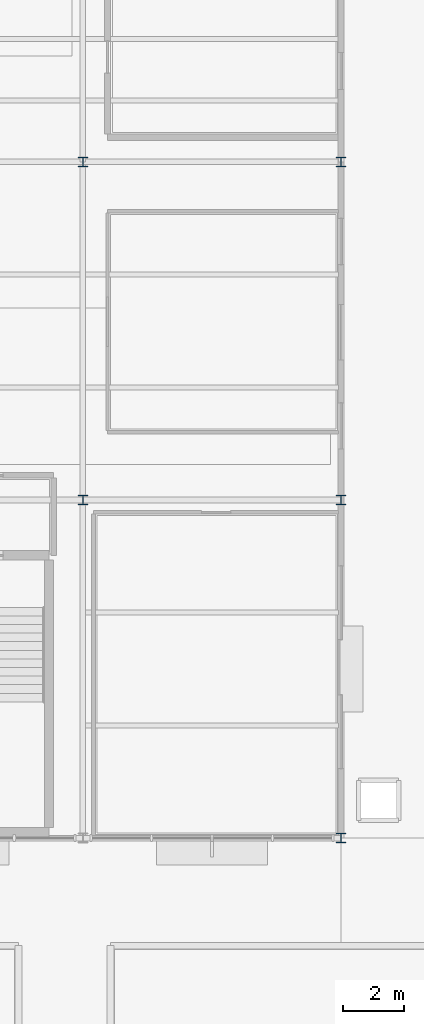
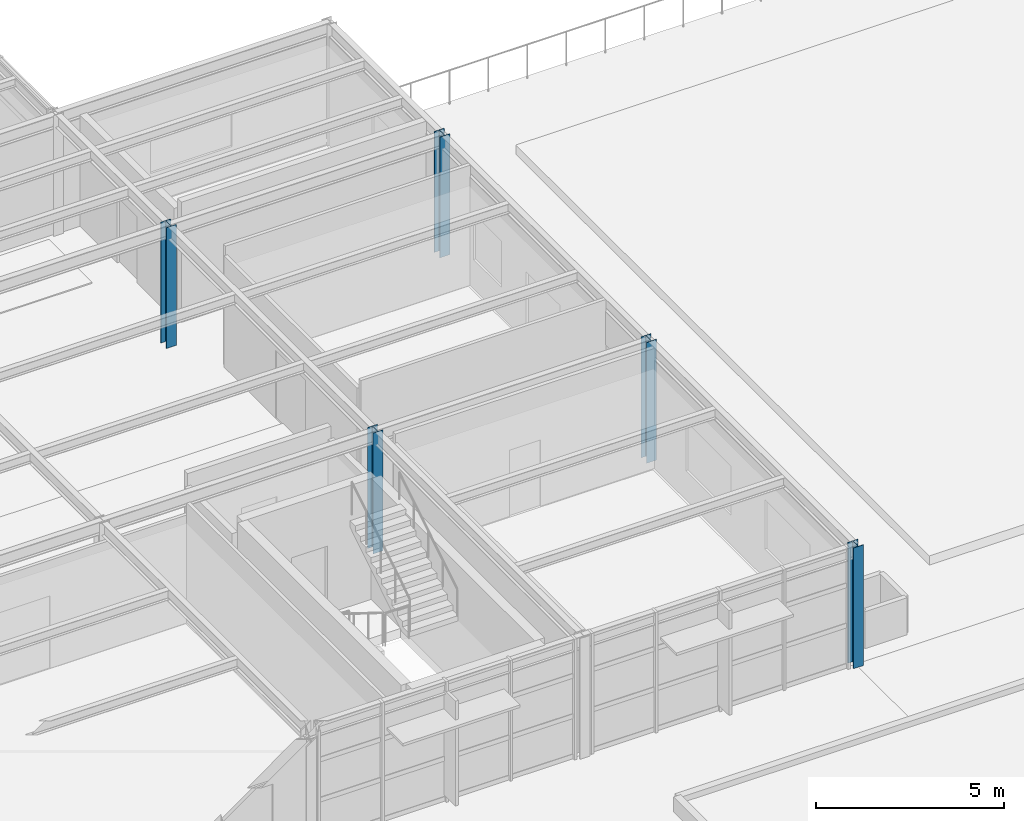
# One storey, part 11 of 49: 5 columns.
"""IFC4 building model written with IfcOpenShell, lengths in metres."""

from ifc_helpers import new_model, si_unit, direction, frame, origin, origin_2d, place, context, subcontext, project, spatial, i_section, extrude, material, material_profile, profile_set, type_object, element, save


model = new_model("IFC4")

# Units and contexts
model_context = context("Model", 3, precision=1e-05, world=origin(), true_north=direction((0.0, 1.0)))
body_context = subcontext(model_context, "Body", "Model", "MODEL_VIEW")
ifc_project = project(units=[si_unit("LENGTHUNIT", "METRE"), si_unit("AREAUNIT", "SQUARE_METRE"), si_unit("VOLUMEUNIT", "CUBIC_METRE"), si_unit("PLANEANGLEUNIT", "RADIAN"), si_unit("MASSUNIT", "GRAM", prefix="KILO")], contexts=[model_context])

# Site, building, storey
site_placement = place(None, origin())
site = spatial("IfcSite", under=ifc_project, at=site_placement, CompositionType="ELEMENT")
building_placement = place(site_placement, origin())
building = spatial("IfcBuilding", under=site, at=building_placement, Name="Sitalva Quay Ferry Terminal", CompositionType="ELEMENT")
storey_placement = place(building_placement, frame((0.0, 0.0, 10.199951171875)))
storey = spatial("IfcBuildingStorey", under=building, at=storey_placement, Name="L03", CompositionType="ELEMENT", Elevation=10.199951171875)

# Columns
ifc_material = material(Name="Structural Steel S355JR", Category="steel")
ifc_material_profile = material_profile(ifc_material, i_section(OverallWidth=0.305908203125, OverallDepth=0.31103515625, WebThickness=0.010986328125, FlangeThickness=0.01708984375, FilletRadius=0.014892578125, at=origin_2d()), Name="W310x107")
ifc_profile_set = profile_set([ifc_material_profile], Name="Structural Steel S355JR")
column_type = type_object("IfcColumnType", Name="Col_W310x107", PredefinedType="COLUMN", material=ifc_profile_set)
for number, where, z_axis, x_axis, name in (
    (1, (126.0, 78.0, 0.0), (0.0, 0.0, 1.0), (1.0, 0.0, 0.0), "L03 column 16J"),
    (2, (117.60009765625, 89.0, 0.0), (0.0, 0.0, 1.0), (1.0, 0.0, 0.0), "L03 column 15K"),
    (3, (126.0, 89.0, 0.0), (0.0, 0.0, 1.0), (1.0, 0.0, 0.0), "L03 column 16K"),
    (4, (117.60009765625, 100.0, 0.0), (0.0, 0.0, 1.0), (1.0, 0.0, 0.0), "L03 column 15L"),
    (5, (126.0, 100.0, 0.0), (0.0, 0.0, 1.0), (1.0, 0.0, 0.0), "L03 column 16L"),
):
    element("IfcColumn", number, at=place(storey_placement, frame(where, z_axis=z_axis, x_axis=x_axis)), inside=storey, type_object=column_type, Name=name, PredefinedType="COLUMN", context=body_context, shape_type="SweptSolid", body=[
        extrude(i_section(OverallWidth=0.305908203125, OverallDepth=0.31103515625, WebThickness=0.010986328125, FlangeThickness=0.01708984375, FilletRadius=0.014892578125, at=origin_2d()), origin(), (0.0, 0.0, 1.0), 3.920166015625),
    ])

save(model, "model.ifc")
